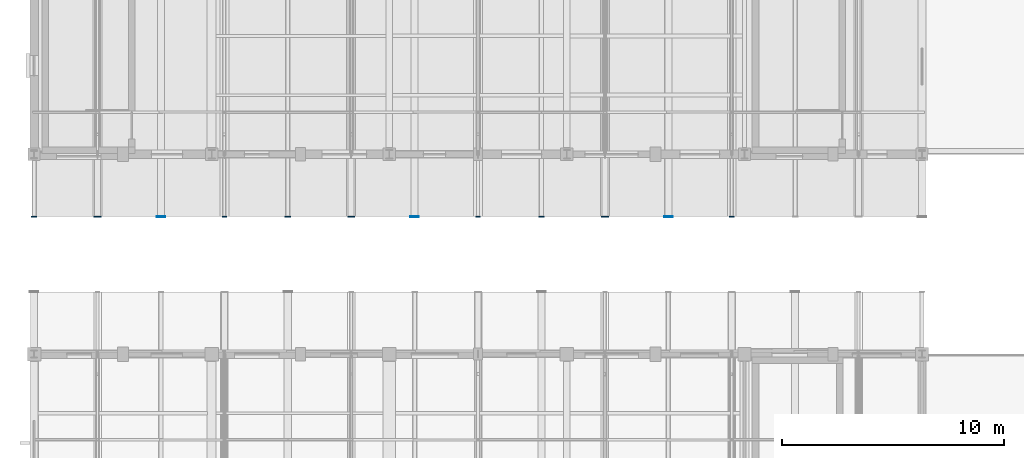
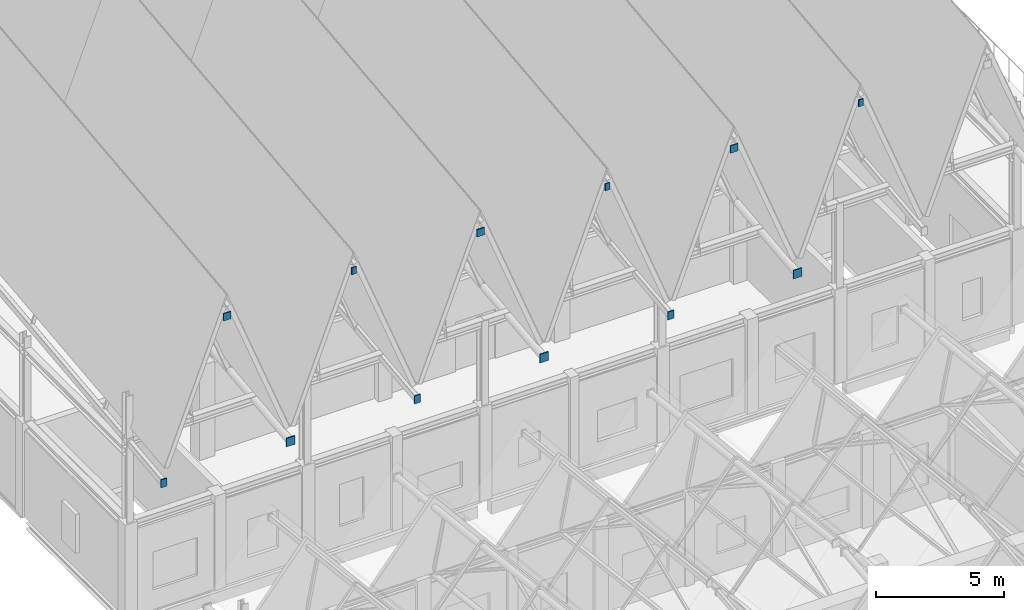
# One storey, part 57 of 77: 12 discrete accessories.
"""IFC4 building model written with IfcOpenShell, lengths in metres."""

from ifc_helpers import new_model, si_unit, direction, frame, origin, origin_2d, place, context, subcontext, project, spatial, rectangle, extrude, material, type_object, element, save


model = new_model("IFC4")

# Units and contexts
model_context = context("Model", 3, precision=1e-05, world=origin(), true_north=direction((0.0, 1.0)))
body_context = subcontext(model_context, "Body", "Model", "MODEL_VIEW")
ifc_project = project(units=[si_unit("LENGTHUNIT", "METRE"), si_unit("AREAUNIT", "SQUARE_METRE"), si_unit("VOLUMEUNIT", "CUBIC_METRE"), si_unit("PLANEANGLEUNIT", "RADIAN"), si_unit("MASSUNIT", "GRAM", prefix="KILO")], contexts=[model_context])

# Site, building, storey
site_placement = place(None, origin())
site = spatial("IfcSite", under=ifc_project, at=site_placement, CompositionType="ELEMENT")
building_placement = place(site_placement, origin())
building = spatial("IfcBuilding", under=site, at=building_placement, Name="Luwemba Playhouse", CompositionType="ELEMENT")
storey_placement = place(building_placement, frame((0.0, 0.0, 9.300048828125)))
storey = spatial("IfcBuildingStorey", under=building, at=storey_placement, Name="L02", CompositionType="ELEMENT", Elevation=9.300048828125)

# Discrete accessories
ifc_material = material(Name="Steel S355", Category="steel")
discrete_accessory_type = type_object("IfcDiscreteAccessoryType", Name="ACC-ENDCAP-S355", PredefinedType="BRACKET", material=ifc_material)
discrete_accessory_1_placement = place(storey_placement, frame((4.0, 33.18505859375, 7.7841796875), z_axis=(0.0, 0.0, 1.0), x_axis=(1.0, 0.0, 0.0)))
element("IfcDiscreteAccessory", 1, at=discrete_accessory_1_placement, inside=storey, type_object=discrete_accessory_type, Name="Welded RHS end cap plate 0001", PredefinedType="BRACKET", context=body_context, shape_type="SweptSolid", body=[
    extrude(rectangle(XDim=0.260009765625, YDim=0.044921875, at=origin_2d()), origin(), (0.0, 0.0, 1.0), 0.3798828125),
])
discrete_accessory_2_placement = place(storey_placement, frame((6.857177734375, 33.18505859375, 14.7490234375), z_axis=(0.0, 0.0, 1.0), x_axis=(1.0, 0.0, 0.0)))
element("IfcDiscreteAccessory", 2, at=discrete_accessory_2_placement, inside=storey, type_object=discrete_accessory_type, Name="Welded RHS end cap plate 0005", PredefinedType="BRACKET", context=body_context, shape_type="SweptSolid", body=[
    extrude(rectangle(XDim=0.3330078125, YDim=0.044921875, at=origin_2d()), origin(), (0.0, 0.0, 1.0), 0.35302734375),
])
discrete_accessory_3_placement = place(storey_placement, frame((9.71435546875, 33.18505859375, 7.76025390625), z_axis=(0.0, 0.0, 1.0), x_axis=(1.0, 0.0, 0.0)))
element("IfcDiscreteAccessory", 3, at=discrete_accessory_3_placement, inside=storey, type_object=discrete_accessory_type, Name="Welded RHS end cap plate 0009", PredefinedType="BRACKET", context=body_context, shape_type="SweptSolid", body=[
    extrude(rectangle(XDim=0.384033203125, YDim=0.044921875, at=origin_2d()), origin(), (0.0, 0.0, 1.0), 0.404052734375),
])
discrete_accessory_4_placement = place(storey_placement, frame((12.5712890625, 33.18505859375, 14.931396484375), z_axis=(0.0, 0.0, 1.0), x_axis=(1.0, 0.0, 0.0)))
element("IfcDiscreteAccessory", 4, at=discrete_accessory_4_placement, inside=storey, type_object=discrete_accessory_type, Name="Welded RHS end cap plate 0013", PredefinedType="BRACKET", context=body_context, shape_type="SweptSolid", body=[
    extrude(rectangle(XDim=0.2099609375, YDim=0.044921875, at=origin_2d()), origin(), (0.0, 0.0, 1.0), 0.330078125),
])
discrete_accessory_5_placement = place(storey_placement, frame((15.4287109375, 33.18505859375, 7.784423828125), z_axis=(0.0, 0.0, 1.0), x_axis=(1.0, 0.0, 0.0)))
element("IfcDiscreteAccessory", 5, at=discrete_accessory_5_placement, inside=storey, type_object=discrete_accessory_type, Name="Welded RHS end cap plate 0017", PredefinedType="BRACKET", context=body_context, shape_type="SweptSolid", body=[
    extrude(rectangle(XDim=0.260009765625, YDim=0.044921875, at=origin_2d()), origin(), (0.0, 0.0, 1.0), 0.3798828125),
])
discrete_accessory_6_placement = place(storey_placement, frame((18.28564453125, 33.18505859375, 14.7490234375), z_axis=(0.0, 0.0, 1.0), x_axis=(1.0, 0.0, 0.0)))
element("IfcDiscreteAccessory", 6, at=discrete_accessory_6_placement, inside=storey, type_object=discrete_accessory_type, Name="Welded RHS end cap plate 0021", PredefinedType="BRACKET", context=body_context, shape_type="SweptSolid", body=[
    extrude(rectangle(XDim=0.3330078125, YDim=0.044921875, at=origin_2d()), origin(), (0.0, 0.0, 1.0), 0.35302734375),
])
discrete_accessory_7_placement = place(storey_placement, frame((21.142822265625, 33.18505859375, 7.76025390625), z_axis=(0.0, 0.0, 1.0), x_axis=(1.0, 0.0, 0.0)))
element("IfcDiscreteAccessory", 7, at=discrete_accessory_7_placement, inside=storey, type_object=discrete_accessory_type, Name="Welded RHS end cap plate 0025", PredefinedType="BRACKET", context=body_context, shape_type="SweptSolid", body=[
    extrude(rectangle(XDim=0.384033203125, YDim=0.044921875, at=origin_2d()), origin(), (0.0, 0.0, 1.0), 0.404052734375),
])
discrete_accessory_8_placement = place(storey_placement, frame((24.0, 33.18505859375, 14.931396484375), z_axis=(0.0, 0.0, 1.0), x_axis=(1.0, 0.0, 0.0)))
element("IfcDiscreteAccessory", 8, at=discrete_accessory_8_placement, inside=storey, type_object=discrete_accessory_type, Name="Welded RHS end cap plate 0029", PredefinedType="BRACKET", context=body_context, shape_type="SweptSolid", body=[
    extrude(rectangle(XDim=0.2099609375, YDim=0.044921875, at=origin_2d()), origin(), (0.0, 0.0, 1.0), 0.330078125),
])
discrete_accessory_9_placement = place(storey_placement, frame((26.857177734375, 33.18505859375, 7.7841796875), z_axis=(0.0, 0.0, 1.0), x_axis=(1.0, 0.0, 0.0)))
element("IfcDiscreteAccessory", 9, at=discrete_accessory_9_placement, inside=storey, type_object=discrete_accessory_type, Name="Welded RHS end cap plate 0033", PredefinedType="BRACKET", context=body_context, shape_type="SweptSolid", body=[
    extrude(rectangle(XDim=0.260009765625, YDim=0.044921875, at=origin_2d()), origin(), (0.0, 0.0, 1.0), 0.3798828125),
])
discrete_accessory_10_placement = place(storey_placement, frame((29.71435546875, 33.18505859375, 14.7490234375), z_axis=(0.0, 0.0, 1.0), x_axis=(1.0, 0.0, 0.0)))
element("IfcDiscreteAccessory", 10, at=discrete_accessory_10_placement, inside=storey, type_object=discrete_accessory_type, Name="Welded RHS end cap plate 0037", PredefinedType="BRACKET", context=body_context, shape_type="SweptSolid", body=[
    extrude(rectangle(XDim=0.3330078125, YDim=0.044921875, at=origin_2d()), origin(), (0.0, 0.0, 1.0), 0.35302734375),
])
discrete_accessory_11_placement = place(storey_placement, frame((32.5712890625, 33.18505859375, 7.76025390625), z_axis=(0.0, 0.0, 1.0), x_axis=(1.0, 0.0, 0.0)))
element("IfcDiscreteAccessory", 11, at=discrete_accessory_11_placement, inside=storey, type_object=discrete_accessory_type, Name="Welded RHS end cap plate 0041", PredefinedType="BRACKET", context=body_context, shape_type="SweptSolid", body=[
    extrude(rectangle(XDim=0.384033203125, YDim=0.044921875, at=origin_2d()), origin(), (0.0, 0.0, 1.0), 0.404052734375),
])
discrete_accessory_12_placement = place(storey_placement, frame((35.4287109375, 33.18505859375, 14.93115234375), z_axis=(0.0, 0.0, 1.0), x_axis=(1.0, 0.0, 0.0)))
element("IfcDiscreteAccessory", 12, at=discrete_accessory_12_placement, inside=storey, type_object=discrete_accessory_type, Name="Welded RHS end cap plate 0045", PredefinedType="BRACKET", context=body_context, shape_type="SweptSolid", body=[
    extrude(rectangle(XDim=0.2099609375, YDim=0.044921875, at=origin_2d()), origin(), (0.0, 0.0, 1.0), 0.330078125),
])

save(model, "model.ifc")
